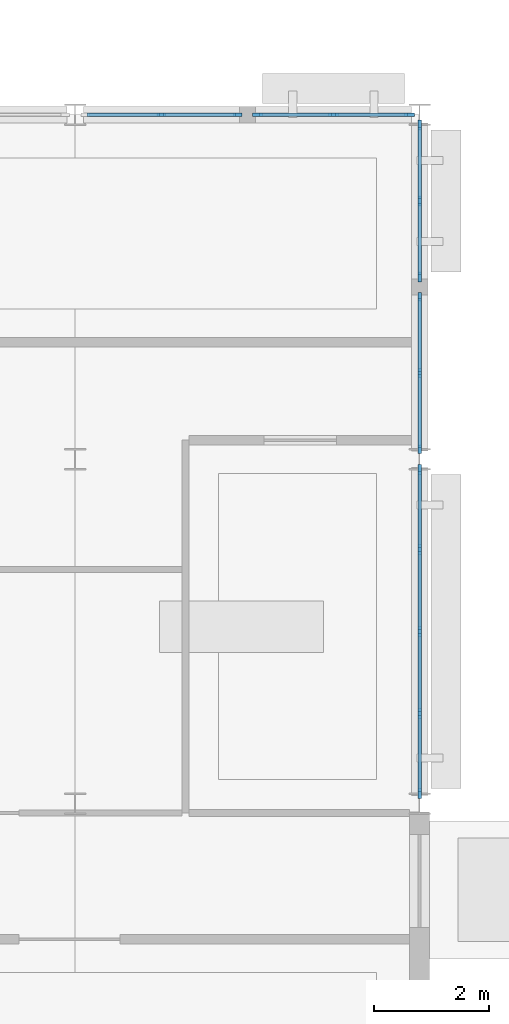
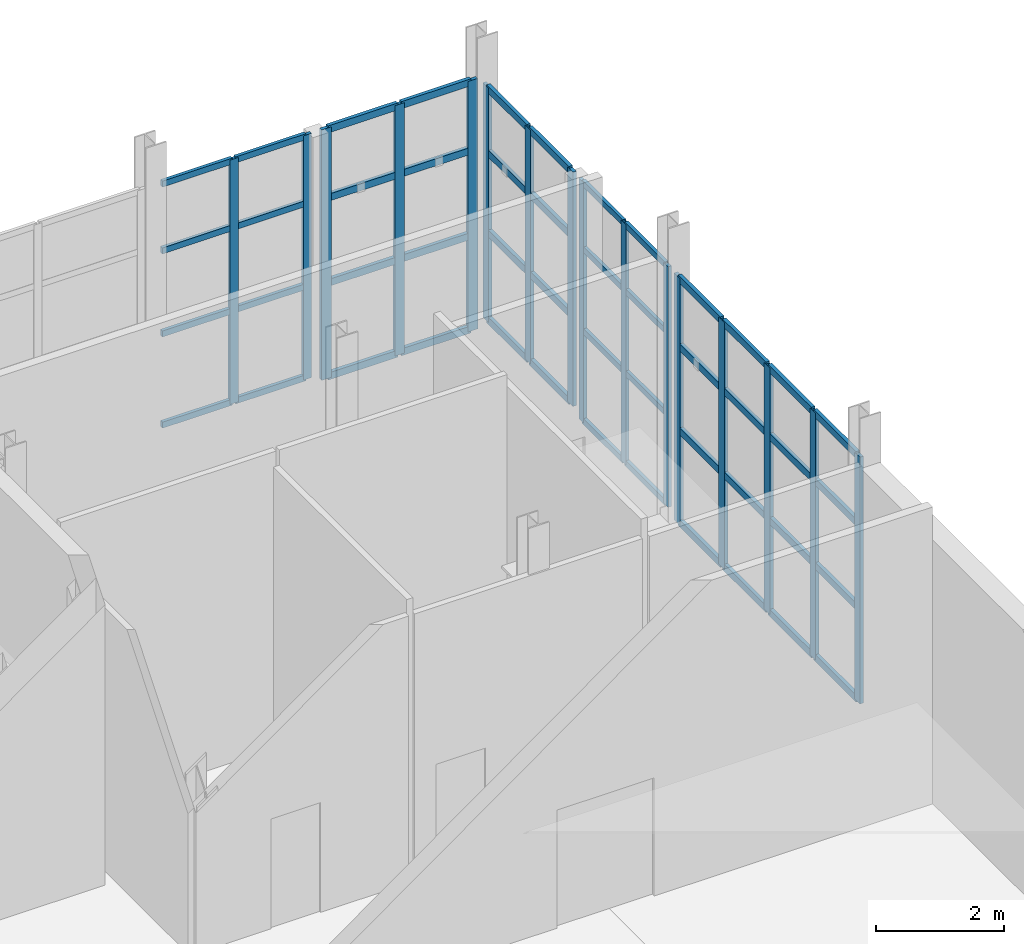
# One storey, part 65 of 120: 64 members, 5 elements without a shape of their own.
"""IFC4 building model written with IfcOpenShell, lengths in metres."""

from ifc_helpers import new_model, si_unit, direction, frame, origin, origin_2d, place, context, subcontext, project, spatial, rectangle, extrude, material, material_profile, profile_set, type_object, element, aggregate, save


model = new_model("IFC4")

# Units and contexts
model_context = context("Model", 3, precision=1e-05, world=origin(), true_north=direction((0.0, 1.0)))
body_context = subcontext(model_context, "Body", "Model", "MODEL_VIEW")
ifc_project = project(units=[si_unit("LENGTHUNIT", "METRE"), si_unit("AREAUNIT", "SQUARE_METRE"), si_unit("VOLUMEUNIT", "CUBIC_METRE"), si_unit("PLANEANGLEUNIT", "RADIAN"), si_unit("MASSUNIT", "GRAM", prefix="KILO")], contexts=[model_context])

# Site, building, storey
site_placement = place(None, origin())
site = spatial("IfcSite", under=ifc_project, at=site_placement, CompositionType="ELEMENT")
building_placement = place(site_placement, origin())
building = spatial("IfcBuilding", under=site, at=building_placement, Name="Siltcreek Boulevard Central Fire Station", CompositionType="ELEMENT")
storey_placement = place(building_placement, origin())
storey = spatial("IfcBuildingStorey", under=building, at=storey_placement, Name="L01", CompositionType="ELEMENT", Elevation=0.0)

# Curtain wall, members
ifc_material_1 = material(Name="Anodized aluminum and low-E insulated glazing", Category="aluminium")
curtain_wall_type_1 = type_object("IfcCurtainWallType", Name="CW_SYS_26", PredefinedType="USERDEFINED", material=ifc_material_1)
curtain_wall_1_placement = place(storey_placement, origin())
curtain_wall_1 = element("IfcCurtainWall", 1, at=curtain_wall_1_placement, inside=storey, type_object=curtain_wall_type_1, Name="L01 V5 unitised curtain wall CW-115", ObjectType="CURTAIN WALL", PredefinedType="USERDEFINED")
ifc_material_2 = material(Name="Anodized 6063-T6 aluminum framing", Category="aluminium")
ifc_material_profile_1 = material_profile(ifc_material_2, rectangle(XDim=0.06005859375, YDim=0.14990234375, at=origin_2d()), Name="MULL60X150")
ifc_profile_set_1 = profile_set([ifc_material_profile_1], Name="Anodized 6063-T6 aluminum framing")
member_type_1 = type_object("IfcMemberType", Name="CWM_60X150", PredefinedType="MULLION", material=ifc_profile_set_1)
member_1_placement = place(storey_placement, frame((163.030029296875, 112.199951171875, 0.43994140625), z_axis=(0.0, 0.0, 1.0), x_axis=(0.0, -1.0, 0.0)))
member_1 = element("IfcMember", 2, at=member_1_placement, type_object=member_type_1, Name="CW-115 mullion 1", PredefinedType="MULLION", context=body_context, shape_type="SweptSolid", body=[
    extrude(rectangle(XDim=0.06005859375, YDim=0.14990234375, at=origin_2d()), origin(), (0.0, 0.0, 1.0), 4.673095703125),
])
member_2_placement = place(storey_placement, frame((161.702392578125, 112.199951171875, 0.43994140625), z_axis=(0.0, 0.0, 1.0), x_axis=(0.0, -1.0, 0.0)))
member_2 = element("IfcMember", 3, at=member_2_placement, type_object=member_type_1, Name="CW-115 mullion 2", PredefinedType="MULLION", context=body_context, shape_type="SweptSolid", body=[
    extrude(rectangle(XDim=0.06005859375, YDim=0.14990234375, at=origin_2d()), origin(), (0.0, 0.0, 1.0), 4.673095703125),
])

curtain_wall_type_2 = type_object("IfcCurtainWallType", Name="CW_SYS_02", PredefinedType="USERDEFINED", material=ifc_material_1)
curtain_wall_2_placement = place(storey_placement, origin())
curtain_wall_2 = element("IfcCurtainWall", 4, at=curtain_wall_2_placement, inside=storey, type_object=curtain_wall_type_2, Name="L01 V5 unitised curtain wall CW-121", ObjectType="CURTAIN WALL", PredefinedType="USERDEFINED")
member_3_placement = place(storey_placement, frame((166.199951171875, 106.375, 0.43994140625), z_axis=(0.0, 0.0, 1.0), x_axis=(-1.0, 0.0, 0.0)))
member_3 = element("IfcMember", 5, at=member_3_placement, type_object=member_type_1, Name="CW-121 mullion 1", PredefinedType="MULLION", context=body_context, shape_type="SweptSolid", body=[
    extrude(rectangle(XDim=0.06005859375, YDim=0.14990234375, at=origin_2d()), origin(), (0.0, 0.0, 1.0), 4.60400390625),
])
member_4_placement = place(storey_placement, frame((166.199951171875, 107.702392578125, 0.43994140625), z_axis=(0.0, 0.0, 1.0), x_axis=(-1.0, 0.0, 0.0)))
member_4 = element("IfcMember", 6, at=member_4_placement, type_object=member_type_1, Name="CW-121 mullion 2", PredefinedType="MULLION", context=body_context, shape_type="SweptSolid", body=[
    extrude(rectangle(XDim=0.06005859375, YDim=0.14990234375, at=origin_2d()), origin(), (0.0, 0.0, 1.0), 4.60400390625),
])
member_5_placement = place(storey_placement, frame((166.199951171875, 109.030029296875, 0.43994140625), z_axis=(0.0, 0.0, 1.0), x_axis=(-1.0, 0.0, 0.0)))
member_5 = element("IfcMember", 7, at=member_5_placement, type_object=member_type_1, Name="CW-121 mullion 3", PredefinedType="MULLION", context=body_context, shape_type="SweptSolid", body=[
    extrude(rectangle(XDim=0.06005859375, YDim=0.14990234375, at=origin_2d()), origin(), (0.0, 0.0, 1.0), 4.60400390625),
])

curtain_wall_type_3 = type_object("IfcCurtainWallType", Name="CW_SYS_25", PredefinedType="USERDEFINED", material=ifc_material_1)
curtain_wall_3_placement = place(storey_placement, origin())
curtain_wall_3 = element("IfcCurtainWall", 8, at=curtain_wall_3_placement, inside=storey, type_object=curtain_wall_type_3, Name="L01 V5 unitised curtain wall CW-114", ObjectType="CURTAIN WALL", PredefinedType="USERDEFINED")
ifc_material_profile_2 = material_profile(ifc_material_2, rectangle(XDim=0.06494140625, YDim=0.175048828125, at=origin_2d()), Name="MULL65X175")
ifc_profile_set_2 = profile_set([ifc_material_profile_2], Name="Anodized 6063-T6 aluminum framing")
member_type_2 = type_object("IfcMemberType", Name="CWM_65X175", PredefinedType="MULLION", material=ifc_profile_set_2)
member_6_placement = place(storey_placement, frame((166.0224609375, 112.199951171875, 0.320068359375), z_axis=(0.0, 0.0, 1.0), x_axis=(0.0, -1.0, 0.0)))
member_6 = element("IfcMember", 9, at=member_6_placement, type_object=member_type_2, Name="CW-114 mullion 1", PredefinedType="MULLION", context=body_context, shape_type="SweptSolid", body=[
    extrude(rectangle(XDim=0.06494140625, YDim=0.175048828125, at=origin_2d()), origin(), (0.0, 0.0, 1.0), 4.79296875),
])
member_7_placement = place(storey_placement, frame((164.697509765625, 112.199951171875, 0.320068359375), z_axis=(0.0, 0.0, 1.0), x_axis=(0.0, -1.0, 0.0)))
member_7 = element("IfcMember", 10, at=member_7_placement, type_object=member_type_2, Name="CW-114 mullion 2", PredefinedType="MULLION", context=body_context, shape_type="SweptSolid", body=[
    extrude(rectangle(XDim=0.06494140625, YDim=0.175048828125, at=origin_2d()), origin(), (0.0, 0.0, 1.0), 4.79296875),
])
member_8_placement = place(storey_placement, frame((163.37255859375, 112.199951171875, 0.320068359375), z_axis=(0.0, 0.0, 1.0), x_axis=(0.0, -1.0, 0.0)))
member_8 = element("IfcMember", 11, at=member_8_placement, type_object=member_type_2, Name="CW-114 mullion 3", PredefinedType="MULLION", context=body_context, shape_type="SweptSolid", body=[
    extrude(rectangle(XDim=0.06494140625, YDim=0.175048828125, at=origin_2d()), origin(), (0.0, 0.0, 1.0), 4.79296875),
])

curtain_wall_type_4 = type_object("IfcCurtainWallType", Name="CW_SYS_01", PredefinedType="USERDEFINED", material=ifc_material_1)
curtain_wall_4_placement = place(storey_placement, origin())
curtain_wall_4 = element("IfcCurtainWall", 12, at=curtain_wall_4_placement, inside=storey, type_object=curtain_wall_type_4, Name="L01 V5 unitised curtain wall CW-120", ObjectType="CURTAIN WALL", PredefinedType="USERDEFINED")
member_9_placement = place(storey_placement, frame((166.199951171875, 100.37744140625, 0.320068359375), z_axis=(0.0, 0.0, 1.0), x_axis=(-1.0, 0.0, 0.0)))
member_9 = element("IfcMember", 13, at=member_9_placement, type_object=member_type_2, Name="CW-120 mullion 1", PredefinedType="MULLION", context=body_context, shape_type="SweptSolid", body=[
    extrude(rectangle(XDim=0.06494140625, YDim=0.175048828125, at=origin_2d()), origin(), (0.0, 0.0, 1.0), 4.723876953125),
])
member_10_placement = place(storey_placement, frame((166.199951171875, 101.7724609375, 0.320068359375), z_axis=(0.0, 0.0, 1.0), x_axis=(-1.0, 0.0, 0.0)))
member_10 = element("IfcMember", 14, at=member_10_placement, type_object=member_type_2, Name="CW-120 mullion 2", PredefinedType="MULLION", context=body_context, shape_type="SweptSolid", body=[
    extrude(rectangle(XDim=0.06494140625, YDim=0.175048828125, at=origin_2d()), origin(), (0.0, 0.0, 1.0), 4.723876953125),
])
member_11_placement = place(storey_placement, frame((166.199951171875, 103.199951171875, 0.320068359375), z_axis=(0.0, 0.0, 1.0), x_axis=(-1.0, 0.0, 0.0)))
member_11 = element("IfcMember", 15, at=member_11_placement, type_object=member_type_2, Name="CW-120 mullion 3", PredefinedType="MULLION", context=body_context, shape_type="SweptSolid", body=[
    extrude(rectangle(XDim=0.06494140625, YDim=0.175048828125, at=origin_2d()), origin(), (0.0, 0.0, 1.0), 4.723876953125),
])
member_12_placement = place(storey_placement, frame((166.199951171875, 104.62744140625, 0.320068359375), z_axis=(0.0, 0.0, 1.0), x_axis=(-1.0, 0.0, 0.0)))
member_12 = element("IfcMember", 16, at=member_12_placement, type_object=member_type_2, Name="CW-120 mullion 4", PredefinedType="MULLION", context=body_context, shape_type="SweptSolid", body=[
    extrude(rectangle(XDim=0.06494140625, YDim=0.175048828125, at=origin_2d()), origin(), (0.0, 0.0, 1.0), 4.723876953125),
])
member_13_placement = place(storey_placement, frame((166.199951171875, 106.0224609375, 0.320068359375), z_axis=(0.0, 0.0, 1.0), x_axis=(-1.0, 0.0, 0.0)))
member_13 = element("IfcMember", 17, at=member_13_placement, type_object=member_type_2, Name="CW-120 mullion 5", PredefinedType="MULLION", context=body_context, shape_type="SweptSolid", body=[
    extrude(rectangle(XDim=0.06494140625, YDim=0.175048828125, at=origin_2d()), origin(), (0.0, 0.0, 1.0), 4.723876953125),
])

curtain_wall_type_5 = type_object("IfcCurtainWallType", Name="CW_SYS_03", PredefinedType="USERDEFINED", material=ifc_material_1)
curtain_wall_5_placement = place(storey_placement, origin())
curtain_wall_5 = element("IfcCurtainWall", 18, at=curtain_wall_5_placement, inside=storey, type_object=curtain_wall_type_5, Name="L01 V5 unitised curtain wall CW-122", ObjectType="CURTAIN WALL", PredefinedType="USERDEFINED")
member_14_placement = place(storey_placement, frame((166.199951171875, 109.37255859375, 0.56005859375), z_axis=(0.0, 0.0, 1.0), x_axis=(-1.0, 0.0, 0.0)))
member_14 = element("IfcMember", 19, at=member_14_placement, type_object=member_type_2, Name="CW-122 mullion 1", PredefinedType="MULLION", context=body_context, shape_type="SweptSolid", body=[
    extrude(rectangle(XDim=0.06494140625, YDim=0.175048828125, at=origin_2d()), origin(), (0.0, 0.0, 1.0), 4.48388671875),
])
member_15_placement = place(storey_placement, frame((166.199951171875, 110.697509765625, 0.56005859375), z_axis=(0.0, 0.0, 1.0), x_axis=(-1.0, 0.0, 0.0)))
member_15 = element("IfcMember", 20, at=member_15_placement, type_object=member_type_2, Name="CW-122 mullion 2", PredefinedType="MULLION", context=body_context, shape_type="SweptSolid", body=[
    extrude(rectangle(XDim=0.06494140625, YDim=0.175048828125, at=origin_2d()), origin(), (0.0, 0.0, 1.0), 4.48388671875),
])
member_16_placement = place(storey_placement, frame((166.199951171875, 112.0224609375, 0.56005859375), z_axis=(0.0, 0.0, 1.0), x_axis=(-1.0, 0.0, 0.0)))
member_16 = element("IfcMember", 21, at=member_16_placement, type_object=member_type_2, Name="CW-122 mullion 3", PredefinedType="MULLION", context=body_context, shape_type="SweptSolid", body=[
    extrude(rectangle(XDim=0.06494140625, YDim=0.175048828125, at=origin_2d()), origin(), (0.0, 0.0, 1.0), 4.48388671875),
])

# Member
ifc_material_profile_3 = material_profile(ifc_material_2, rectangle(XDim=0.06005859375, YDim=0.114990234375, at=origin_2d()), Name="TRAN60X115")
ifc_profile_set_3 = profile_set([ifc_material_profile_3], Name="Anodized 6063-T6 aluminum framing")
member_type_3 = type_object("IfcMemberType", Name="CWT_60X115", PredefinedType="USERDEFINED", material=ifc_profile_set_3)
member_17_placement = place(storey_placement, frame((163.0, 112.199951171875, 0.469970703125), z_axis=(-1.0, 0.0, 0.0), x_axis=(0.0, -1.0, 0.0)))
member_17 = element("IfcMember", 22, at=member_17_placement, type_object=member_type_3, Name="CW-115 transom 1.1", ObjectType="TRANSOM", PredefinedType="USERDEFINED", context=body_context, shape_type="SweptSolid", body=[
    extrude(rectangle(XDim=0.06005859375, YDim=0.114990234375, at=origin_2d()), origin(), (0.0, 0.0, 1.0), 1.267578125),
])

member_18_placement = place(storey_placement, frame((163.0, 112.199951171875, 2.2158203125), z_axis=(-1.0, 0.0, 0.0), x_axis=(0.0, -1.0, 0.0)))
member_18 = element("IfcMember", 23, at=member_18_placement, type_object=member_type_3, Name="CW-115 transom 1.2", ObjectType="TRANSOM", PredefinedType="USERDEFINED", context=body_context, shape_type="SweptSolid", body=[
    extrude(rectangle(XDim=0.06005859375, YDim=0.114990234375, at=origin_2d()), origin(), (0.0, 0.0, 1.0), 1.267578125),
])

member_19_placement = place(storey_placement, frame((163.0, 112.199951171875, 3.8046875), z_axis=(-1.0, 0.0, 0.0), x_axis=(0.0, -1.0, 0.0)))
member_19 = element("IfcMember", 24, at=member_19_placement, type_object=member_type_3, Name="CW-115 transom 1.3", ObjectType="TRANSOM", PredefinedType="USERDEFINED", context=body_context, shape_type="SweptSolid", body=[
    extrude(rectangle(XDim=0.06005859375, YDim=0.114990234375, at=origin_2d()), origin(), (0.0, 0.0, 1.0), 1.267578125),
])

member_20_placement = place(storey_placement, frame((163.0, 112.199951171875, 5.0830078125), z_axis=(-1.0, 0.0, 0.0), x_axis=(0.0, -1.0, 0.0)))
member_20 = element("IfcMember", 25, at=member_20_placement, type_object=member_type_3, Name="CW-115 transom 1.4", ObjectType="TRANSOM", PredefinedType="USERDEFINED", context=body_context, shape_type="SweptSolid", body=[
    extrude(rectangle(XDim=0.06005859375, YDim=0.114990234375, at=origin_2d()), origin(), (0.0, 0.0, 1.0), 1.267578125),
])

member_21_placement = place(storey_placement, frame((161.672607421875, 112.199951171875, 0.469970703125), z_axis=(-1.0, 0.0, 0.0), x_axis=(0.0, -1.0, 0.0)))
member_21 = element("IfcMember", 26, at=member_21_placement, type_object=member_type_3, Name="CW-115 transom 2.1", ObjectType="TRANSOM", PredefinedType="USERDEFINED", context=body_context, shape_type="SweptSolid", body=[
    extrude(rectangle(XDim=0.06005859375, YDim=0.114990234375, at=origin_2d()), origin(), (0.0, 0.0, 1.0), 1.267578125),
])

member_22_placement = place(storey_placement, frame((161.672607421875, 112.199951171875, 2.2158203125), z_axis=(-1.0, 0.0, 0.0), x_axis=(0.0, -1.0, 0.0)))
member_22 = element("IfcMember", 27, at=member_22_placement, type_object=member_type_3, Name="CW-115 transom 2.2", ObjectType="TRANSOM", PredefinedType="USERDEFINED", context=body_context, shape_type="SweptSolid", body=[
    extrude(rectangle(XDim=0.06005859375, YDim=0.114990234375, at=origin_2d()), origin(), (0.0, 0.0, 1.0), 1.267578125),
])

member_23_placement = place(storey_placement, frame((161.672607421875, 112.199951171875, 3.8046875), z_axis=(-1.0, 0.0, 0.0), x_axis=(0.0, -1.0, 0.0)))
member_23 = element("IfcMember", 28, at=member_23_placement, type_object=member_type_3, Name="CW-115 transom 2.3", ObjectType="TRANSOM", PredefinedType="USERDEFINED", context=body_context, shape_type="SweptSolid", body=[
    extrude(rectangle(XDim=0.06005859375, YDim=0.114990234375, at=origin_2d()), origin(), (0.0, 0.0, 1.0), 1.267578125),
])

member_24_placement = place(storey_placement, frame((161.672607421875, 112.199951171875, 5.0830078125), z_axis=(-1.0, 0.0, 0.0), x_axis=(0.0, -1.0, 0.0)))
member_24 = element("IfcMember", 29, at=member_24_placement, type_object=member_type_3, Name="CW-115 transom 2.4", ObjectType="TRANSOM", PredefinedType="USERDEFINED", context=body_context, shape_type="SweptSolid", body=[
    extrude(rectangle(XDim=0.06005859375, YDim=0.114990234375, at=origin_2d()), origin(), (0.0, 0.0, 1.0), 1.267578125),
])

aggregate(curtain_wall_1, [member_1, member_2, member_17, member_18, member_19, member_20, member_21, member_22, member_23, member_24])

member_25_placement = place(storey_placement, frame((166.199951171875, 106.405029296875, 0.469970703125), z_axis=(0.0, 1.0, 0.0), x_axis=(-1.0, 0.0, 0.0)))
member_25 = element("IfcMember", 30, at=member_25_placement, type_object=member_type_3, Name="CW-121 transom 1.1", ObjectType="TRANSOM", PredefinedType="USERDEFINED", context=body_context, shape_type="SweptSolid", body=[
    extrude(rectangle(XDim=0.06005859375, YDim=0.114990234375, at=origin_2d()), origin(), (0.0, 0.0, 1.0), 1.267578125),
])

member_26_placement = place(storey_placement, frame((166.199951171875, 106.405029296875, 2.189453125), z_axis=(0.0, 1.0, 0.0), x_axis=(-1.0, 0.0, 0.0)))
member_26 = element("IfcMember", 31, at=member_26_placement, type_object=member_type_3, Name="CW-121 transom 1.2", ObjectType="TRANSOM", PredefinedType="USERDEFINED", context=body_context, shape_type="SweptSolid", body=[
    extrude(rectangle(XDim=0.06005859375, YDim=0.114990234375, at=origin_2d()), origin(), (0.0, 0.0, 1.0), 1.267578125),
])

member_27_placement = place(storey_placement, frame((166.199951171875, 106.405029296875, 3.7548828125), z_axis=(0.0, 1.0, 0.0), x_axis=(-1.0, 0.0, 0.0)))
member_27 = element("IfcMember", 32, at=member_27_placement, type_object=member_type_3, Name="CW-121 transom 1.3", ObjectType="TRANSOM", PredefinedType="USERDEFINED", context=body_context, shape_type="SweptSolid", body=[
    extrude(rectangle(XDim=0.06005859375, YDim=0.114990234375, at=origin_2d()), origin(), (0.0, 0.0, 1.0), 1.267578125),
])

member_28_placement = place(storey_placement, frame((166.199951171875, 106.405029296875, 5.013916015625), z_axis=(0.0, 1.0, 0.0), x_axis=(-1.0, 0.0, 0.0)))
member_28 = element("IfcMember", 33, at=member_28_placement, type_object=member_type_3, Name="CW-121 transom 1.4", ObjectType="TRANSOM", PredefinedType="USERDEFINED", context=body_context, shape_type="SweptSolid", body=[
    extrude(rectangle(XDim=0.06005859375, YDim=0.114990234375, at=origin_2d()), origin(), (0.0, 0.0, 1.0), 1.267578125),
])

member_29_placement = place(storey_placement, frame((166.199951171875, 107.732421875, 0.469970703125), z_axis=(0.0, 1.0, 0.0), x_axis=(-1.0, 0.0, 0.0)))
member_29 = element("IfcMember", 34, at=member_29_placement, type_object=member_type_3, Name="CW-121 transom 2.1", ObjectType="TRANSOM", PredefinedType="USERDEFINED", context=body_context, shape_type="SweptSolid", body=[
    extrude(rectangle(XDim=0.06005859375, YDim=0.114990234375, at=origin_2d()), origin(), (0.0, 0.0, 1.0), 1.267578125),
])

member_30_placement = place(storey_placement, frame((166.199951171875, 107.732421875, 2.189453125), z_axis=(0.0, 1.0, 0.0), x_axis=(-1.0, 0.0, 0.0)))
member_30 = element("IfcMember", 35, at=member_30_placement, type_object=member_type_3, Name="CW-121 transom 2.2", ObjectType="TRANSOM", PredefinedType="USERDEFINED", context=body_context, shape_type="SweptSolid", body=[
    extrude(rectangle(XDim=0.06005859375, YDim=0.114990234375, at=origin_2d()), origin(), (0.0, 0.0, 1.0), 1.267578125),
])

member_31_placement = place(storey_placement, frame((166.199951171875, 107.732421875, 3.7548828125), z_axis=(0.0, 1.0, 0.0), x_axis=(-1.0, 0.0, 0.0)))
member_31 = element("IfcMember", 36, at=member_31_placement, type_object=member_type_3, Name="CW-121 transom 2.3", ObjectType="TRANSOM", PredefinedType="USERDEFINED", context=body_context, shape_type="SweptSolid", body=[
    extrude(rectangle(XDim=0.06005859375, YDim=0.114990234375, at=origin_2d()), origin(), (0.0, 0.0, 1.0), 1.267578125),
])

member_32_placement = place(storey_placement, frame((166.199951171875, 107.732421875, 5.013916015625), z_axis=(0.0, 1.0, 0.0), x_axis=(-1.0, 0.0, 0.0)))
member_32 = element("IfcMember", 37, at=member_32_placement, type_object=member_type_3, Name="CW-121 transom 2.4", ObjectType="TRANSOM", PredefinedType="USERDEFINED", context=body_context, shape_type="SweptSolid", body=[
    extrude(rectangle(XDim=0.06005859375, YDim=0.114990234375, at=origin_2d()), origin(), (0.0, 0.0, 1.0), 1.267578125),
])

aggregate(curtain_wall_2, [member_3, member_4, member_5, member_25, member_26, member_27, member_28, member_29, member_30, member_31, member_32])

ifc_material_profile_4 = material_profile(ifc_material_2, rectangle(XDim=0.06494140625, YDim=0.135009765625, at=origin_2d()), Name="TRAN65X135")
ifc_profile_set_4 = profile_set([ifc_material_profile_4], Name="Anodized 6063-T6 aluminum framing")
member_type_4 = type_object("IfcMemberType", Name="CWT_65X135", PredefinedType="USERDEFINED", material=ifc_profile_set_4)
member_33_placement = place(storey_placement, frame((165.989990234375, 112.199951171875, 0.3525390625), z_axis=(-1.0, 0.0, 0.0), x_axis=(0.0, -1.0, 0.0)))
member_33 = element("IfcMember", 38, at=member_33_placement, type_object=member_type_4, Name="CW-114 transom 1.1", ObjectType="TRANSOM", PredefinedType="USERDEFINED", context=body_context, shape_type="SweptSolid", body=[
    extrude(rectangle(XDim=0.06494140625, YDim=0.135009765625, at=origin_2d()), origin(), (0.0, 0.0, 1.0), 1.260009765625),
])

member_34_placement = place(storey_placement, frame((165.989990234375, 112.199951171875, 2.141357421875), z_axis=(-1.0, 0.0, 0.0), x_axis=(0.0, -1.0, 0.0)))
member_34 = element("IfcMember", 39, at=member_34_placement, type_object=member_type_4, Name="CW-114 transom 1.2", ObjectType="TRANSOM", PredefinedType="USERDEFINED", context=body_context, shape_type="SweptSolid", body=[
    extrude(rectangle(XDim=0.06494140625, YDim=0.135009765625, at=origin_2d()), origin(), (0.0, 0.0, 1.0), 1.260009765625),
])

member_35_placement = place(storey_placement, frame((165.989990234375, 112.199951171875, 3.77099609375), z_axis=(-1.0, 0.0, 0.0), x_axis=(0.0, -1.0, 0.0)))
member_35 = element("IfcMember", 40, at=member_35_placement, type_object=member_type_4, Name="CW-114 transom 1.3", ObjectType="TRANSOM", PredefinedType="USERDEFINED", context=body_context, shape_type="SweptSolid", body=[
    extrude(rectangle(XDim=0.06494140625, YDim=0.135009765625, at=origin_2d()), origin(), (0.0, 0.0, 1.0), 1.260009765625),
])

member_36_placement = place(storey_placement, frame((165.989990234375, 112.199951171875, 5.08056640625), z_axis=(-1.0, 0.0, 0.0), x_axis=(0.0, -1.0, 0.0)))
member_36 = element("IfcMember", 41, at=member_36_placement, type_object=member_type_4, Name="CW-114 transom 1.4", ObjectType="TRANSOM", PredefinedType="USERDEFINED", context=body_context, shape_type="SweptSolid", body=[
    extrude(rectangle(XDim=0.06494140625, YDim=0.135009765625, at=origin_2d()), origin(), (0.0, 0.0, 1.0), 1.260009765625),
])

member_37_placement = place(storey_placement, frame((164.6650390625, 112.199951171875, 0.3525390625), z_axis=(-1.0, 0.0, 0.0), x_axis=(0.0, -1.0, 0.0)))
member_37 = element("IfcMember", 42, at=member_37_placement, type_object=member_type_4, Name="CW-114 transom 2.1", ObjectType="TRANSOM", PredefinedType="USERDEFINED", context=body_context, shape_type="SweptSolid", body=[
    extrude(rectangle(XDim=0.06494140625, YDim=0.135009765625, at=origin_2d()), origin(), (0.0, 0.0, 1.0), 1.260009765625),
])

member_38_placement = place(storey_placement, frame((164.6650390625, 112.199951171875, 2.141357421875), z_axis=(-1.0, 0.0, 0.0), x_axis=(0.0, -1.0, 0.0)))
member_38 = element("IfcMember", 43, at=member_38_placement, type_object=member_type_4, Name="CW-114 transom 2.2", ObjectType="TRANSOM", PredefinedType="USERDEFINED", context=body_context, shape_type="SweptSolid", body=[
    extrude(rectangle(XDim=0.06494140625, YDim=0.135009765625, at=origin_2d()), origin(), (0.0, 0.0, 1.0), 1.260009765625),
])

member_39_placement = place(storey_placement, frame((164.6650390625, 112.199951171875, 3.77099609375), z_axis=(-1.0, 0.0, 0.0), x_axis=(0.0, -1.0, 0.0)))
member_39 = element("IfcMember", 44, at=member_39_placement, type_object=member_type_4, Name="CW-114 transom 2.3", ObjectType="TRANSOM", PredefinedType="USERDEFINED", context=body_context, shape_type="SweptSolid", body=[
    extrude(rectangle(XDim=0.06494140625, YDim=0.135009765625, at=origin_2d()), origin(), (0.0, 0.0, 1.0), 1.260009765625),
])

member_40_placement = place(storey_placement, frame((164.6650390625, 112.199951171875, 5.08056640625), z_axis=(-1.0, 0.0, 0.0), x_axis=(0.0, -1.0, 0.0)))
member_40 = element("IfcMember", 45, at=member_40_placement, type_object=member_type_4, Name="CW-114 transom 2.4", ObjectType="TRANSOM", PredefinedType="USERDEFINED", context=body_context, shape_type="SweptSolid", body=[
    extrude(rectangle(XDim=0.06494140625, YDim=0.135009765625, at=origin_2d()), origin(), (0.0, 0.0, 1.0), 1.260009765625),
])

aggregate(curtain_wall_3, [member_6, member_7, member_8, member_33, member_34, member_35, member_36, member_37, member_38, member_39, member_40])

member_41_placement = place(storey_placement, frame((166.199951171875, 100.409912109375, 0.3525390625), z_axis=(0.0, 1.0, 0.0), x_axis=(-1.0, 0.0, 0.0)))
member_41 = element("IfcMember", 46, at=member_41_placement, type_object=member_type_4, Name="CW-120 transom 1.1", ObjectType="TRANSOM", PredefinedType="USERDEFINED", context=body_context, shape_type="SweptSolid", body=[
    extrude(rectangle(XDim=0.06494140625, YDim=0.135009765625, at=origin_2d()), origin(), (0.0, 0.0, 1.0), 1.330078125),
])

member_42_placement = place(storey_placement, frame((166.199951171875, 100.409912109375, 2.114990234375), z_axis=(0.0, 1.0, 0.0), x_axis=(-1.0, 0.0, 0.0)))
member_42 = element("IfcMember", 47, at=member_42_placement, type_object=member_type_4, Name="CW-120 transom 1.2", ObjectType="TRANSOM", PredefinedType="USERDEFINED", context=body_context, shape_type="SweptSolid", body=[
    extrude(rectangle(XDim=0.06494140625, YDim=0.135009765625, at=origin_2d()), origin(), (0.0, 0.0, 1.0), 1.330078125),
])

member_43_placement = place(storey_placement, frame((166.199951171875, 100.409912109375, 3.72119140625), z_axis=(0.0, 1.0, 0.0), x_axis=(-1.0, 0.0, 0.0)))
member_43 = element("IfcMember", 48, at=member_43_placement, type_object=member_type_4, Name="CW-120 transom 1.3", ObjectType="TRANSOM", PredefinedType="USERDEFINED", context=body_context, shape_type="SweptSolid", body=[
    extrude(rectangle(XDim=0.06494140625, YDim=0.135009765625, at=origin_2d()), origin(), (0.0, 0.0, 1.0), 1.330078125),
])

member_44_placement = place(storey_placement, frame((166.199951171875, 100.409912109375, 5.011474609375), z_axis=(0.0, 1.0, 0.0), x_axis=(-1.0, 0.0, 0.0)))
member_44 = element("IfcMember", 49, at=member_44_placement, type_object=member_type_4, Name="CW-120 transom 1.4", ObjectType="TRANSOM", PredefinedType="USERDEFINED", context=body_context, shape_type="SweptSolid", body=[
    extrude(rectangle(XDim=0.06494140625, YDim=0.135009765625, at=origin_2d()), origin(), (0.0, 0.0, 1.0), 1.330078125),
])

member_45_placement = place(storey_placement, frame((166.199951171875, 101.804931640625, 0.3525390625), z_axis=(0.0, 1.0, 0.0), x_axis=(-1.0, 0.0, 0.0)))
member_45 = element("IfcMember", 50, at=member_45_placement, type_object=member_type_4, Name="CW-120 transom 2.1", ObjectType="TRANSOM", PredefinedType="USERDEFINED", context=body_context, shape_type="SweptSolid", body=[
    extrude(rectangle(XDim=0.06494140625, YDim=0.135009765625, at=origin_2d()), origin(), (0.0, 0.0, 1.0), 1.362548828125),
])

member_46_placement = place(storey_placement, frame((166.199951171875, 101.804931640625, 2.114990234375), z_axis=(0.0, 1.0, 0.0), x_axis=(-1.0, 0.0, 0.0)))
member_46 = element("IfcMember", 51, at=member_46_placement, type_object=member_type_4, Name="CW-120 transom 2.2", ObjectType="TRANSOM", PredefinedType="USERDEFINED", context=body_context, shape_type="SweptSolid", body=[
    extrude(rectangle(XDim=0.06494140625, YDim=0.135009765625, at=origin_2d()), origin(), (0.0, 0.0, 1.0), 1.362548828125),
])

member_47_placement = place(storey_placement, frame((166.199951171875, 101.804931640625, 3.72119140625), z_axis=(0.0, 1.0, 0.0), x_axis=(-1.0, 0.0, 0.0)))
member_47 = element("IfcMember", 52, at=member_47_placement, type_object=member_type_4, Name="CW-120 transom 2.3", ObjectType="TRANSOM", PredefinedType="USERDEFINED", context=body_context, shape_type="SweptSolid", body=[
    extrude(rectangle(XDim=0.06494140625, YDim=0.135009765625, at=origin_2d()), origin(), (0.0, 0.0, 1.0), 1.362548828125),
])

member_48_placement = place(storey_placement, frame((166.199951171875, 101.804931640625, 5.011474609375), z_axis=(0.0, 1.0, 0.0), x_axis=(-1.0, 0.0, 0.0)))
member_48 = element("IfcMember", 53, at=member_48_placement, type_object=member_type_4, Name="CW-120 transom 2.4", ObjectType="TRANSOM", PredefinedType="USERDEFINED", context=body_context, shape_type="SweptSolid", body=[
    extrude(rectangle(XDim=0.06494140625, YDim=0.135009765625, at=origin_2d()), origin(), (0.0, 0.0, 1.0), 1.362548828125),
])

member_49_placement = place(storey_placement, frame((166.199951171875, 103.232421875, 0.3525390625), z_axis=(0.0, 1.0, 0.0), x_axis=(-1.0, 0.0, 0.0)))
member_49 = element("IfcMember", 54, at=member_49_placement, type_object=member_type_4, Name="CW-120 transom 3.1", ObjectType="TRANSOM", PredefinedType="USERDEFINED", context=body_context, shape_type="SweptSolid", body=[
    extrude(rectangle(XDim=0.06494140625, YDim=0.135009765625, at=origin_2d()), origin(), (0.0, 0.0, 1.0), 1.362548828125),
])

member_50_placement = place(storey_placement, frame((166.199951171875, 103.232421875, 2.114990234375), z_axis=(0.0, 1.0, 0.0), x_axis=(-1.0, 0.0, 0.0)))
member_50 = element("IfcMember", 55, at=member_50_placement, type_object=member_type_4, Name="CW-120 transom 3.2", ObjectType="TRANSOM", PredefinedType="USERDEFINED", context=body_context, shape_type="SweptSolid", body=[
    extrude(rectangle(XDim=0.06494140625, YDim=0.135009765625, at=origin_2d()), origin(), (0.0, 0.0, 1.0), 1.362548828125),
])

member_51_placement = place(storey_placement, frame((166.199951171875, 103.232421875, 3.72119140625), z_axis=(0.0, 1.0, 0.0), x_axis=(-1.0, 0.0, 0.0)))
member_51 = element("IfcMember", 56, at=member_51_placement, type_object=member_type_4, Name="CW-120 transom 3.3", ObjectType="TRANSOM", PredefinedType="USERDEFINED", context=body_context, shape_type="SweptSolid", body=[
    extrude(rectangle(XDim=0.06494140625, YDim=0.135009765625, at=origin_2d()), origin(), (0.0, 0.0, 1.0), 1.362548828125),
])

member_52_placement = place(storey_placement, frame((166.199951171875, 103.232421875, 5.011474609375), z_axis=(0.0, 1.0, 0.0), x_axis=(-1.0, 0.0, 0.0)))
member_52 = element("IfcMember", 57, at=member_52_placement, type_object=member_type_4, Name="CW-120 transom 3.4", ObjectType="TRANSOM", PredefinedType="USERDEFINED", context=body_context, shape_type="SweptSolid", body=[
    extrude(rectangle(XDim=0.06494140625, YDim=0.135009765625, at=origin_2d()), origin(), (0.0, 0.0, 1.0), 1.362548828125),
])

member_53_placement = place(storey_placement, frame((166.199951171875, 104.659912109375, 0.3525390625), z_axis=(0.0, 1.0, 0.0), x_axis=(-1.0, 0.0, 0.0)))
member_53 = element("IfcMember", 58, at=member_53_placement, type_object=member_type_4, Name="CW-120 transom 4.1", ObjectType="TRANSOM", PredefinedType="USERDEFINED", context=body_context, shape_type="SweptSolid", body=[
    extrude(rectangle(XDim=0.06494140625, YDim=0.135009765625, at=origin_2d()), origin(), (0.0, 0.0, 1.0), 1.330078125),
])

member_54_placement = place(storey_placement, frame((166.199951171875, 104.659912109375, 2.114990234375), z_axis=(0.0, 1.0, 0.0), x_axis=(-1.0, 0.0, 0.0)))
member_54 = element("IfcMember", 59, at=member_54_placement, type_object=member_type_4, Name="CW-120 transom 4.2", ObjectType="TRANSOM", PredefinedType="USERDEFINED", context=body_context, shape_type="SweptSolid", body=[
    extrude(rectangle(XDim=0.06494140625, YDim=0.135009765625, at=origin_2d()), origin(), (0.0, 0.0, 1.0), 1.330078125),
])

member_55_placement = place(storey_placement, frame((166.199951171875, 104.659912109375, 3.72119140625), z_axis=(0.0, 1.0, 0.0), x_axis=(-1.0, 0.0, 0.0)))
member_55 = element("IfcMember", 60, at=member_55_placement, type_object=member_type_4, Name="CW-120 transom 4.3", ObjectType="TRANSOM", PredefinedType="USERDEFINED", context=body_context, shape_type="SweptSolid", body=[
    extrude(rectangle(XDim=0.06494140625, YDim=0.135009765625, at=origin_2d()), origin(), (0.0, 0.0, 1.0), 1.330078125),
])

member_56_placement = place(storey_placement, frame((166.199951171875, 104.659912109375, 5.011474609375), z_axis=(0.0, 1.0, 0.0), x_axis=(-1.0, 0.0, 0.0)))
member_56 = element("IfcMember", 61, at=member_56_placement, type_object=member_type_4, Name="CW-120 transom 4.4", ObjectType="TRANSOM", PredefinedType="USERDEFINED", context=body_context, shape_type="SweptSolid", body=[
    extrude(rectangle(XDim=0.06494140625, YDim=0.135009765625, at=origin_2d()), origin(), (0.0, 0.0, 1.0), 1.330078125),
])

aggregate(curtain_wall_4, [member_9, member_10, member_11, member_12, member_13, member_41, member_42, member_43, member_44, member_45, member_46, member_47, member_48, member_49, member_50, member_51, member_52, member_53, member_54, member_55, member_56])

member_57_placement = place(storey_placement, frame((166.199951171875, 109.405029296875, 0.592529296875), z_axis=(0.0, 1.0, 0.0), x_axis=(-1.0, 0.0, 0.0)))
member_57 = element("IfcMember", 62, at=member_57_placement, type_object=member_type_4, Name="CW-122 transom 1.1", ObjectType="TRANSOM", PredefinedType="USERDEFINED", context=body_context, shape_type="SweptSolid", body=[
    extrude(rectangle(XDim=0.06494140625, YDim=0.135009765625, at=origin_2d()), origin(), (0.0, 0.0, 1.0), 1.260009765625),
])

member_58_placement = place(storey_placement, frame((166.199951171875, 109.405029296875, 2.263916015625), z_axis=(0.0, 1.0, 0.0), x_axis=(-1.0, 0.0, 0.0)))
member_58 = element("IfcMember", 63, at=member_58_placement, type_object=member_type_4, Name="CW-122 transom 1.2", ObjectType="TRANSOM", PredefinedType="USERDEFINED", context=body_context, shape_type="SweptSolid", body=[
    extrude(rectangle(XDim=0.06494140625, YDim=0.135009765625, at=origin_2d()), origin(), (0.0, 0.0, 1.0), 1.260009765625),
])

member_59_placement = place(storey_placement, frame((166.199951171875, 109.405029296875, 3.78857421875), z_axis=(0.0, 1.0, 0.0), x_axis=(-1.0, 0.0, 0.0)))
member_59 = element("IfcMember", 64, at=member_59_placement, type_object=member_type_4, Name="CW-122 transom 1.3", ObjectType="TRANSOM", PredefinedType="USERDEFINED", context=body_context, shape_type="SweptSolid", body=[
    extrude(rectangle(XDim=0.06494140625, YDim=0.135009765625, at=origin_2d()), origin(), (0.0, 0.0, 1.0), 1.260009765625),
])

member_60_placement = place(storey_placement, frame((166.199951171875, 109.405029296875, 5.011474609375), z_axis=(0.0, 1.0, 0.0), x_axis=(-1.0, 0.0, 0.0)))
member_60 = element("IfcMember", 65, at=member_60_placement, type_object=member_type_4, Name="CW-122 transom 1.4", ObjectType="TRANSOM", PredefinedType="USERDEFINED", context=body_context, shape_type="SweptSolid", body=[
    extrude(rectangle(XDim=0.06494140625, YDim=0.135009765625, at=origin_2d()), origin(), (0.0, 0.0, 1.0), 1.260009765625),
])

member_61_placement = place(storey_placement, frame((166.199951171875, 110.72998046875, 0.592529296875), z_axis=(0.0, 1.0, 0.0), x_axis=(-1.0, 0.0, 0.0)))
member_61 = element("IfcMember", 66, at=member_61_placement, type_object=member_type_4, Name="CW-122 transom 2.1", ObjectType="TRANSOM", PredefinedType="USERDEFINED", context=body_context, shape_type="SweptSolid", body=[
    extrude(rectangle(XDim=0.06494140625, YDim=0.135009765625, at=origin_2d()), origin(), (0.0, 0.0, 1.0), 1.260009765625),
])

member_62_placement = place(storey_placement, frame((166.199951171875, 110.72998046875, 2.263916015625), z_axis=(0.0, 1.0, 0.0), x_axis=(-1.0, 0.0, 0.0)))
member_62 = element("IfcMember", 67, at=member_62_placement, type_object=member_type_4, Name="CW-122 transom 2.2", ObjectType="TRANSOM", PredefinedType="USERDEFINED", context=body_context, shape_type="SweptSolid", body=[
    extrude(rectangle(XDim=0.06494140625, YDim=0.135009765625, at=origin_2d()), origin(), (0.0, 0.0, 1.0), 1.260009765625),
])

member_63_placement = place(storey_placement, frame((166.199951171875, 110.72998046875, 3.78857421875), z_axis=(0.0, 1.0, 0.0), x_axis=(-1.0, 0.0, 0.0)))
member_63 = element("IfcMember", 68, at=member_63_placement, type_object=member_type_4, Name="CW-122 transom 2.3", ObjectType="TRANSOM", PredefinedType="USERDEFINED", context=body_context, shape_type="SweptSolid", body=[
    extrude(rectangle(XDim=0.06494140625, YDim=0.135009765625, at=origin_2d()), origin(), (0.0, 0.0, 1.0), 1.260009765625),
])

member_64_placement = place(storey_placement, frame((166.199951171875, 110.72998046875, 5.011474609375), z_axis=(0.0, 1.0, 0.0), x_axis=(-1.0, 0.0, 0.0)))
member_64 = element("IfcMember", 69, at=member_64_placement, type_object=member_type_4, Name="CW-122 transom 2.4", ObjectType="TRANSOM", PredefinedType="USERDEFINED", context=body_context, shape_type="SweptSolid", body=[
    extrude(rectangle(XDim=0.06494140625, YDim=0.135009765625, at=origin_2d()), origin(), (0.0, 0.0, 1.0), 1.260009765625),
])

aggregate(curtain_wall_5, [member_14, member_15, member_16, member_57, member_58, member_59, member_60, member_61, member_62, member_63, member_64])

save(model, "model.ifc")
